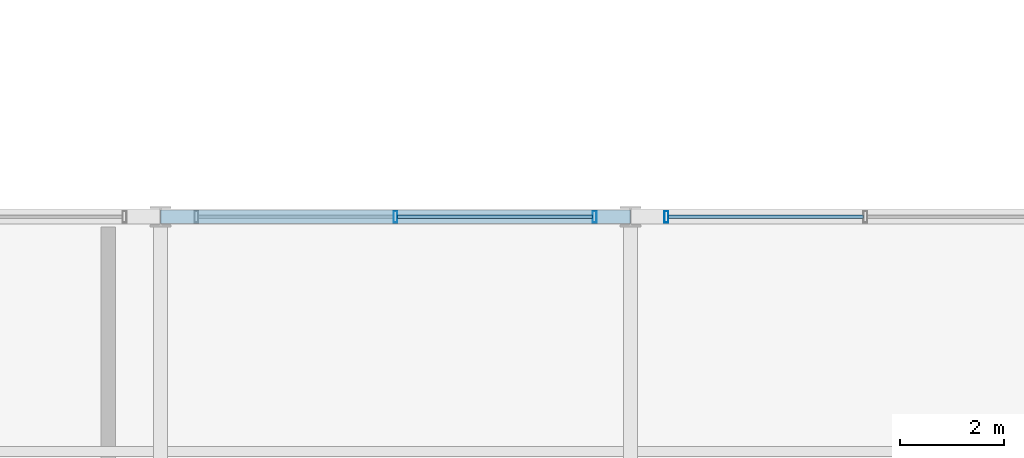
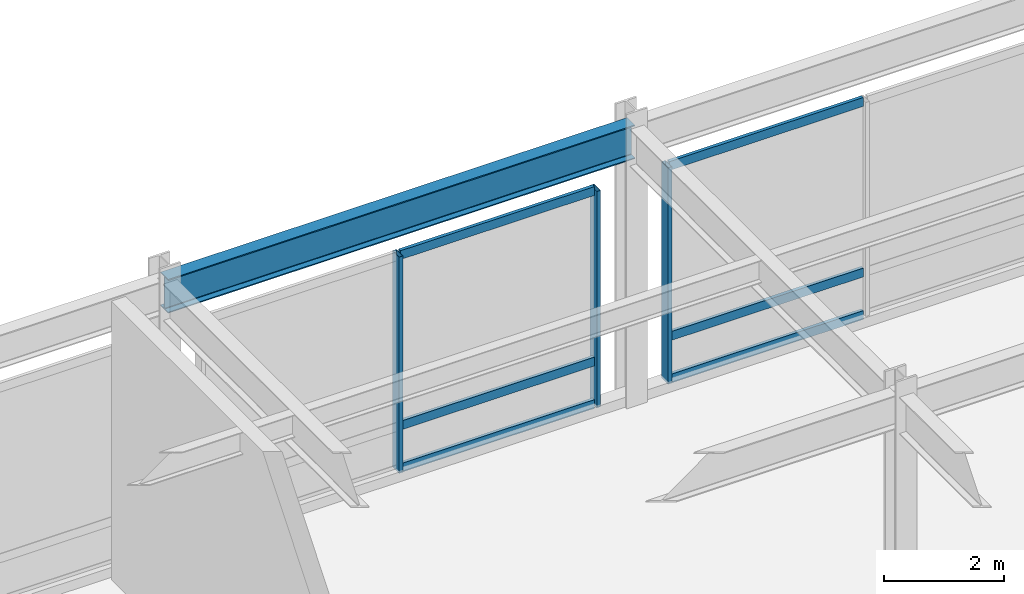
# One storey, part 48 of 105: 9 members, 1 beam, 2 elements without a shape of their own.
"""IFC4 building model written with IfcOpenShell, lengths in metres."""

from ifc_helpers import new_model, si_unit, direction, frame, origin, origin_2d, place, context, subcontext, project, spatial, hollow_rectangle, i_section, extrude, material, material_profile, profile_set, type_object, element, aggregate, save


model = new_model("IFC4")

# Units and contexts
model_context = context("Model", 3, precision=1e-05, world=origin(), true_north=direction((0.0, 1.0)))
body_context = subcontext(model_context, "Body", "Model", "MODEL_VIEW")
ifc_project = project(units=[si_unit("LENGTHUNIT", "METRE"), si_unit("AREAUNIT", "SQUARE_METRE"), si_unit("VOLUMEUNIT", "CUBIC_METRE"), si_unit("PLANEANGLEUNIT", "RADIAN"), si_unit("MASSUNIT", "GRAM", prefix="KILO")], contexts=[model_context])

# Site, building, storey
site_placement = place(None, origin())
site = spatial("IfcSite", under=ifc_project, at=site_placement, CompositionType="ELEMENT")
building_placement = place(site_placement, origin())
building = spatial("IfcBuilding", under=site, at=building_placement, Name="Kaldorvane Square Convention Centre", CompositionType="ELEMENT")
storey_placement = place(building_placement, frame((0.0, 0.0, 6.0)))
storey = spatial("IfcBuildingStorey", under=building, at=storey_placement, Name="L01", CompositionType="ELEMENT", Elevation=6.0)

# Beam
ifc_material_1 = material(Name="Steel ASTM A992 Gr. 50", Category="steel")
ifc_material_profile_1 = material_profile(ifc_material_1, i_section(OverallWidth=0.25439453125, OverallDepth=0.6880950927734375, WebThickness=0.0131072998046875, FlangeThickness=0.0211029052734375, FilletRadius=0.01519775390625, at=origin_2d()), Name="W27X102")
ifc_profile_set_1 = profile_set([ifc_material_profile_1], Name="Steel ASTM A992 Gr. 50")
beam_type = type_object("IfcBeamType", Name="BM-GR-W27X102", PredefinedType="BEAM", material=ifc_profile_set_1)
beam_placement = place(storey_placement, frame((147.0, 36.0, 5.332000732421875), z_axis=(1.0, 0.0, 0.0), x_axis=(0.0, 1.0, 0.0)))
element("IfcBeam", 1, at=beam_placement, inside=storey, type_object=beam_type, Name="Primary Girder (L01)", PredefinedType="BEAM", context=body_context, shape_type="SweptSolid", body=[
    extrude(i_section(OverallWidth=0.25439453125, OverallDepth=0.6880950927734375, WebThickness=0.0131072998046875, FlangeThickness=0.0211029052734375, FilletRadius=0.01519775390625, at=origin_2d()), origin(), (0.0, 0.0, 1.0), 9.0),
])

# Curtain wall, members
ifc_material_2 = material(Name="Anodized Aluminum and Low-E Insulated Glazing", Category="aluminium")
curtain_wall_type = type_object("IfcCurtainWallType", Name="CW-PTS-FC-60", PredefinedType="USERDEFINED", material=ifc_material_2)
curtain_wall_1_placement = place(storey_placement, origin())
curtain_wall_1 = element("IfcCurtainWall", 2, at=curtain_wall_1_placement, inside=storey, type_object=curtain_wall_type, Name="Curtain Wall CW-07 (L01)", ObjectType="POINT SUPPORTED GLAZING", PredefinedType="USERDEFINED")
ifc_material_profile_2 = material_profile(ifc_material_2, hollow_rectangle(XDim=0.0749969482421875, YDim=0.220001220703125, WallThickness=0.003997802734375, at=origin_2d()), Name="CWM-220X75")
ifc_profile_set_2 = profile_set([ifc_material_profile_2], Name="Anodized Aluminum and Low-E Insulated Glazing")
member_type_1 = type_object("IfcMemberType", Name="CW-MUL-220", PredefinedType="MULLION", material=ifc_profile_set_2)
member_1_placement = place(storey_placement, frame((155.3125, 36.0, 0.149993896484375), z_axis=(0.0, 0.0, 1.0), x_axis=(-1.0, 0.0, 0.0)))
member_1 = element("IfcMember", 3, at=member_1_placement, type_object=member_type_1, Name="CW-07 mullion 1", PredefinedType="MULLION", context=body_context, shape_type="SweptSolid", body=[
    extrude(hollow_rectangle(XDim=0.0749969482421875, YDim=0.220001220703125, WallThickness=0.003997802734375, at=origin_2d()), origin(), (0.0, 0.0, 1.0), 4.410003662109375),
])
member_2_placement = place(storey_placement, frame((151.5, 36.0, 0.149993896484375), z_axis=(0.0, 0.0, 1.0), x_axis=(-1.0, 0.0, 0.0)))
member_2 = element("IfcMember", 4, at=member_2_placement, type_object=member_type_1, Name="CW-07 mullion 2", PredefinedType="MULLION", context=body_context, shape_type="SweptSolid", body=[
    extrude(hollow_rectangle(XDim=0.0749969482421875, YDim=0.220001220703125, WallThickness=0.003997802734375, at=origin_2d()), origin(), (0.0, 0.0, 1.0), 4.410003662109375),
])

# Curtain wall, member
curtain_wall_2_placement = place(storey_placement, origin())
curtain_wall_2 = element("IfcCurtainWall", 5, at=curtain_wall_2_placement, inside=storey, type_object=curtain_wall_type, Name="Curtain Wall CW-07 (L01)", ObjectType="POINT SUPPORTED GLAZING", PredefinedType="USERDEFINED")
member_3_placement = place(storey_placement, frame((156.6875, 36.0, 0.149993896484375), z_axis=(0.0, 0.0, 1.0), x_axis=(-1.0, 0.0, 0.0)))
member_3 = element("IfcMember", 6, at=member_3_placement, type_object=member_type_1, Name="CW-07 mullion 3", PredefinedType="MULLION", context=body_context, shape_type="SweptSolid", body=[
    extrude(hollow_rectangle(XDim=0.0749969482421875, YDim=0.220001220703125, WallThickness=0.003997802734375, at=origin_2d()), origin(), (0.0, 0.0, 1.0), 4.410003662109375),
])

# Member
ifc_material_profile_3 = material_profile(ifc_material_2, hollow_rectangle(XDim=0.06500244140625, YDim=0.17999267578125, WallThickness=0.0034942626953125, at=origin_2d()), Name="CWT-180X65")
ifc_profile_set_3 = profile_set([ifc_material_profile_3], Name="Anodized Aluminum and Low-E Insulated Glazing")
member_type_2 = type_object("IfcMemberType", Name="CW-TRN-180", PredefinedType="USERDEFINED", material=ifc_profile_set_3)
member_4_placement = place(storey_placement, frame((155.27499389648438, 36.0, 0.1824951171875), z_axis=(-1.0, 0.0, 0.0), x_axis=(0.0, -1.0, 0.0)))
member_4 = element("IfcMember", 7, at=member_4_placement, type_object=member_type_2, Name="CW-07 transom 1.1", ObjectType="TRANSOM", PredefinedType="USERDEFINED", context=body_context, shape_type="SweptSolid", body=[
    extrude(hollow_rectangle(XDim=0.06500244140625, YDim=0.17999267578125, WallThickness=0.0034942626953125, at=origin_2d()), origin(), (0.0, 0.0, 1.0), 3.73748779296875),
])

member_5_placement = place(storey_placement, frame((155.27499389648438, 36.0, 1.0500030517578125), z_axis=(-1.0, 0.0, 0.0), x_axis=(0.0, -1.0, 0.0)))
member_5 = element("IfcMember", 8, at=member_5_placement, type_object=member_type_2, Name="CW-07 transom 1.2", ObjectType="TRANSOM", PredefinedType="USERDEFINED", context=body_context, shape_type="SweptSolid", body=[
    extrude(hollow_rectangle(XDim=0.06500244140625, YDim=0.17999267578125, WallThickness=0.0034942626953125, at=origin_2d()), origin(), (0.0, 0.0, 1.0), 3.73748779296875),
])

member_6_placement = place(storey_placement, frame((155.27499389648438, 36.0, 4.527496337890625), z_axis=(-1.0, 0.0, 0.0), x_axis=(0.0, -1.0, 0.0)))
member_6 = element("IfcMember", 9, at=member_6_placement, type_object=member_type_2, Name="CW-07 transom 1.3", ObjectType="TRANSOM", PredefinedType="USERDEFINED", context=body_context, shape_type="SweptSolid", body=[
    extrude(hollow_rectangle(XDim=0.06500244140625, YDim=0.17999267578125, WallThickness=0.0034942626953125, at=origin_2d()), origin(), (0.0, 0.0, 1.0), 3.73748779296875),
])

aggregate(curtain_wall_1, [member_1, member_2, member_4, member_5, member_6])

member_7_placement = place(storey_placement, frame((160.46249389648438, 36.0, 0.1824951171875), z_axis=(-1.0, 0.0, 0.0), x_axis=(0.0, -1.0, 0.0)))
member_7 = element("IfcMember", 10, at=member_7_placement, type_object=member_type_2, Name="CW-07 transom 2.1", ObjectType="TRANSOM", PredefinedType="USERDEFINED", context=body_context, shape_type="SweptSolid", body=[
    extrude(hollow_rectangle(XDim=0.06500244140625, YDim=0.17999267578125, WallThickness=0.0034942626953125, at=origin_2d()), origin(), (0.0, 0.0, 1.0), 3.73748779296875),
])

member_8_placement = place(storey_placement, frame((160.46249389648438, 36.0, 1.0500030517578125), z_axis=(-1.0, 0.0, 0.0), x_axis=(0.0, -1.0, 0.0)))
member_8 = element("IfcMember", 11, at=member_8_placement, type_object=member_type_2, Name="CW-07 transom 2.2", ObjectType="TRANSOM", PredefinedType="USERDEFINED", context=body_context, shape_type="SweptSolid", body=[
    extrude(hollow_rectangle(XDim=0.06500244140625, YDim=0.17999267578125, WallThickness=0.0034942626953125, at=origin_2d()), origin(), (0.0, 0.0, 1.0), 3.73748779296875),
])

member_9_placement = place(storey_placement, frame((160.46249389648438, 36.0, 4.527496337890625), z_axis=(-1.0, 0.0, 0.0), x_axis=(0.0, -1.0, 0.0)))
member_9 = element("IfcMember", 12, at=member_9_placement, type_object=member_type_2, Name="CW-07 transom 2.3", ObjectType="TRANSOM", PredefinedType="USERDEFINED", context=body_context, shape_type="SweptSolid", body=[
    extrude(hollow_rectangle(XDim=0.06500244140625, YDim=0.17999267578125, WallThickness=0.0034942626953125, at=origin_2d()), origin(), (0.0, 0.0, 1.0), 3.73748779296875),
])

aggregate(curtain_wall_2, [member_3, member_7, member_8, member_9])

save(model, "model.ifc")
